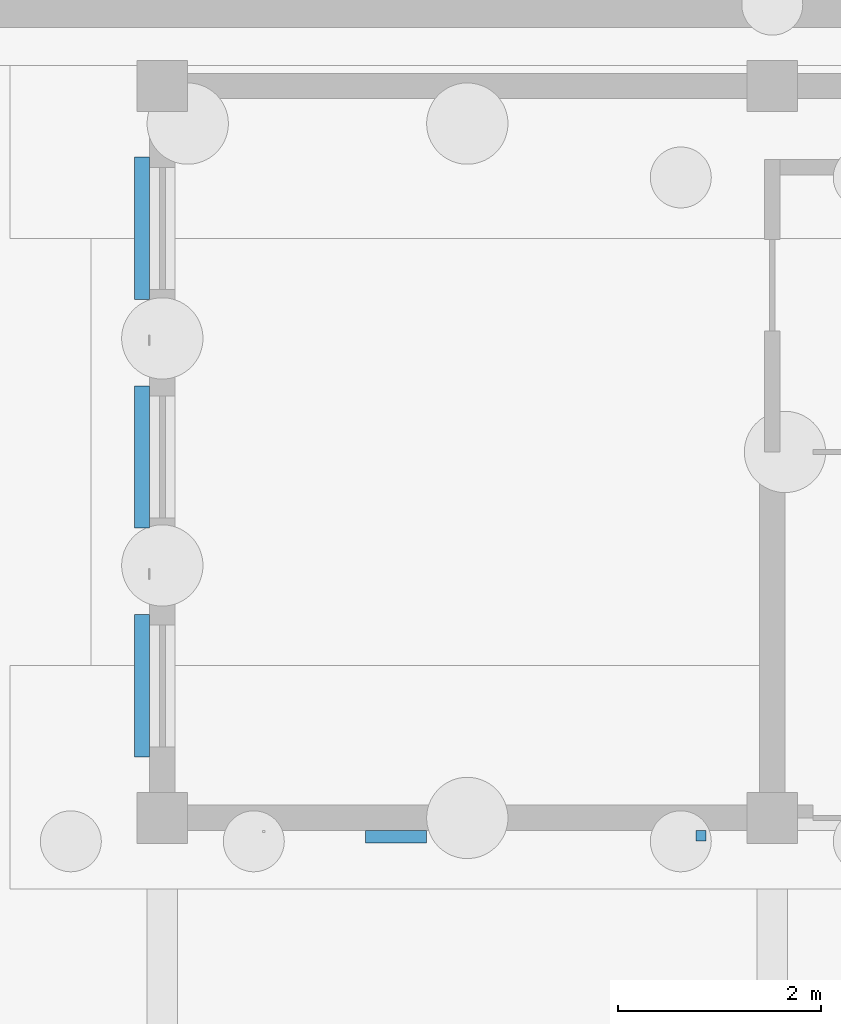
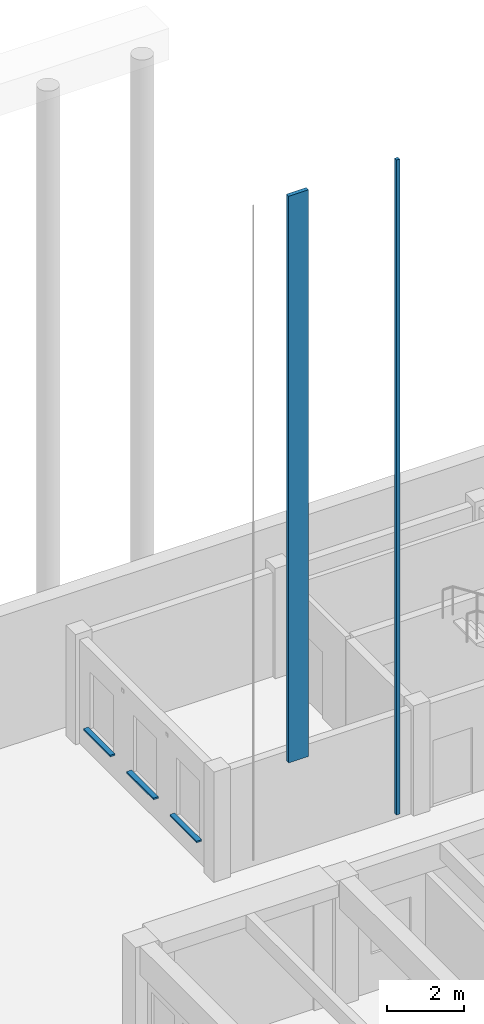
# One storey, part 31 of 37: 5 discrete accessories.
"""IFC4 building model written with IfcOpenShell, lengths in metres."""

from ifc_helpers import new_model, si_unit, direction, frame, origin, origin_2d, place, context, subcontext, project, spatial, rectangle, extrude, material, type_object, element, save


model = new_model("IFC4")

# Units and contexts
model_context = context("Model", 3, precision=1e-05, world=origin(), true_north=direction((0.0, 1.0)))
body_context = subcontext(model_context, "Body", "Model", "MODEL_VIEW")
ifc_project = project(units=[si_unit("LENGTHUNIT", "METRE"), si_unit("AREAUNIT", "SQUARE_METRE"), si_unit("VOLUMEUNIT", "CUBIC_METRE"), si_unit("PLANEANGLEUNIT", "RADIAN"), si_unit("MASSUNIT", "GRAM", prefix="KILO")], contexts=[model_context])

# Site, building, storey
site_placement = place(None, origin())
site = spatial("IfcSite", under=ifc_project, at=site_placement, CompositionType="ELEMENT")
building_placement = place(site_placement, origin())
building = spatial("IfcBuilding", under=site, at=building_placement, Name="Laocheng Heights Fire and Rescue Headquarters", CompositionType="ELEMENT")
storey_placement = place(building_placement, origin())
storey = spatial("IfcBuildingStorey", under=building, at=storey_placement, Name="L00", CompositionType="ELEMENT", Elevation=0.0)

# Discrete accessories
ifc_material_1 = material(Name="Steel pipe, painted", Category="steel")
discrete_accessory_type_1 = type_object("IfcDiscreteAccessoryType", Name="DRILL DOWNPIPE 100", PredefinedType="USERDEFINED", material=ifc_material_1)
discrete_accessory_1_placement = place(storey_placement, frame((119.300048828125, 27.824951171875, 0.2001953125), z_axis=(0.0, 0.0, 1.0), x_axis=(1.0, 0.0, 0.0)))
element("IfcDiscreteAccessory", 1, at=discrete_accessory_1_placement, inside=storey, type_object=discrete_accessory_type_1, Name="Downpipe", ObjectType="RAINWATER DOWNPIPE", PredefinedType="USERDEFINED", context=body_context, shape_type="SweptSolid", body=[
    extrude(rectangle(XDim=0.10009765625, YDim=0.10009765625, at=origin_2d()), origin(), (0.0, 0.0, 1.0), 20.800048828125),
])
ifc_material_2 = material(Name="Steel Q355B", Category="steel")
discrete_accessory_type_2 = type_object("IfcDiscreteAccessoryType", Name="DRILL FIXED FIRE LADDER 600", PredefinedType="USERDEFINED", material=ifc_material_2)
discrete_accessory_2_placement = place(storey_placement, frame((116.300048828125, 27.81494140625, 3.0), z_axis=(0.0, 0.0, 1.0), x_axis=(1.0, 0.0, 0.0)))
element("IfcDiscreteAccessory", 2, at=discrete_accessory_2_placement, inside=storey, type_object=discrete_accessory_type_2, Name="Fixed fire ladder", ObjectType="FIXED FIRE LADDER", PredefinedType="USERDEFINED", context=body_context, shape_type="SweptSolid", body=[
    extrude(rectangle(XDim=0.60009765625, YDim=0.1201171875, at=origin_2d()), origin(), (0.0, 0.0, 1.0), 18.0),
])
ifc_material_3 = material(Name="Timber board, treated", Category="wood")
discrete_accessory_type_3 = type_object("IfcDiscreteAccessoryType", Name="DRILL TIMBER SILL BOARD 150 x 50", PredefinedType="USERDEFINED", material=ifc_material_3)
for number, where, z_axis, x_axis, name in (
    (3, (113.800048828125, 29.300048828125, 0.75), (0.0, 0.0, 1.0), (1.0, 0.0, 0.0), "Sill board F1 W"),
    (4, (113.800048828125, 31.550048828125, 0.75), (0.0, 0.0, 1.0), (1.0, 0.0, 0.0), "Sill board F1 W"),
    (5, (113.800048828125, 33.800048828125, 0.75), (0.0, 0.0, 1.0), (1.0, 0.0, 0.0), "Sill board F1 W"),
):
    element("IfcDiscreteAccessory", number, at=place(storey_placement, frame(where, z_axis=z_axis, x_axis=x_axis)), inside=storey, type_object=discrete_accessory_type_3, Name=name, ObjectType="SILL BOARD", PredefinedType="USERDEFINED", context=body_context, shape_type="SweptSolid", body=[
        extrude(rectangle(XDim=0.14990234375, YDim=1.39990234375, at=origin_2d()), origin(), (0.0, 0.0, 1.0), 0.050048828125),
    ])

save(model, "model.ifc")
